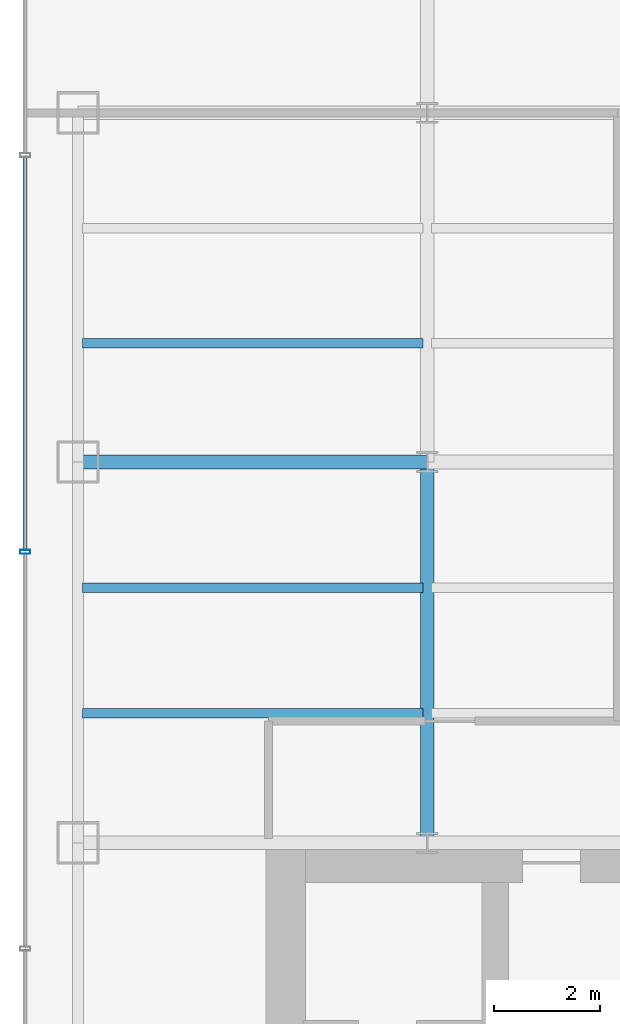
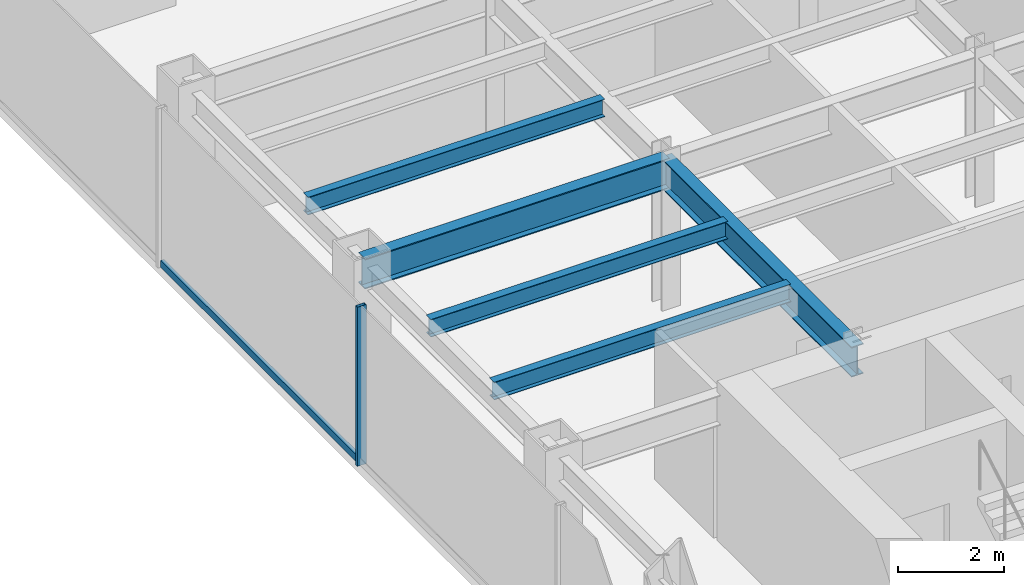
# One storey, part 4 of 26: 5 beams, 2 members, 1 element without a shape of its own.
"""IFC4 building model written with IfcOpenShell, lengths in metres."""

from ifc_helpers import new_model, si_unit, derived_unit, direction, frame, origin, origin_2d, place, context, subcontext, project, spatial, hollow_rectangle, i_section, extrude, source, transform, mapped, material, material_profile, profile_set, type_object, element, aggregate, save


model = new_model("IFC4")

# Units and contexts
model_context = context("Model", 3, precision=1e-05, world=origin(), true_north=direction((0.0, 1.0)))
body_context = subcontext(model_context, "Body", "Model", "MODEL_VIEW")
ifc_project = project(units=[si_unit("LENGTHUNIT", "METRE"), si_unit("AREAUNIT", "SQUARE_METRE"), si_unit("VOLUMEUNIT", "CUBIC_METRE"), si_unit("PLANEANGLEUNIT", "RADIAN"), si_unit("MASSUNIT", "GRAM", prefix="KILO"), derived_unit("THERMALTRANSMITTANCEUNIT", [(si_unit("POWERUNIT", "WATT"), 1), (si_unit("LENGTHUNIT", "METRE"), -2), (si_unit("THERMODYNAMICTEMPERATUREUNIT", "KELVIN"), -1)])], contexts=[model_context])

# Site, building, storey
site_placement = place(None, origin())
site = spatial("IfcSite", under=ifc_project, at=site_placement, CompositionType="ELEMENT")
building_placement = place(site_placement, origin())
building = spatial("IfcBuilding", under=site, at=building_placement, Name="Skarnbrae Concourse Arena and Tower", CompositionType="ELEMENT")
storey_placement = place(building_placement, frame((0.0, 0.0, 92.300048828125)))
storey = spatial("IfcBuildingStorey", under=building, at=storey_placement, Name="L22", CompositionType="ELEMENT", Elevation=92.300048828125)

# Beams
ifc_material_1 = material(Name="Steel CSA G40.21 350W", Category="steel")
ifc_material_profile_1 = material_profile(ifc_material_1, i_section(OverallWidth=0.256103515625, OverallDepth=0.693115234375, WebThickness=0.014404296875, FlangeThickness=0.023681640625, at=origin_2d()), Name="W690X170")
ifc_profile_set_1 = profile_set([ifc_material_profile_1], Name="Steel CSA G40.21 350W")
beam_type_1 = type_object("IfcBeamType", Name="BM-GIRD-W690X170", PredefinedType="BEAM", material=ifc_profile_set_1)
shared_shape_1 = source(origin(), body_context, "Body", "SweptSolid", [
    extrude(i_section(OverallWidth=0.256103515625, OverallDepth=0.693115234375, WebThickness=0.014404296875, FlangeThickness=0.023681640625, at=origin_2d()), origin(), (0.0, 0.0, 1.0), 6.60009765625),
])
beam_1_placement = place(storey_placement, frame((1.0, 21.199951171875, 3.053466796875), z_axis=(1.0, 0.0, 0.0), x_axis=(0.0, 1.0, 0.0)))
element("IfcBeam", 1, at=beam_1_placement, inside=storey, type_object=beam_type_1, Name="L22 Primary E-W girder Y21.2-1", PredefinedType="BEAM", context=body_context, shape_type="MappedRepresentation", body=[
    mapped(shared_shape_1, transform((0.0, 0.0, 0.0))),
])
shared_shape_2 = source(origin(), body_context, "Body", "SweptSolid", [
    extrude(i_section(OverallWidth=0.256103515625, OverallDepth=0.693115234375, WebThickness=0.014404296875, FlangeThickness=0.023681640625, at=origin_2d()), origin(), (0.0, 0.0, 1.0), 7.199951171875),
])
beam_2_placement = place(storey_placement, frame((7.60009765625, 14.0, 3.053466796875), z_axis=(0.0, 1.0, 0.0), x_axis=(-1.0, 0.0, 0.0)))
element("IfcBeam", 2, at=beam_2_placement, inside=storey, type_object=beam_type_1, Name="L22 Primary N-S girder X7.6-1", PredefinedType="BEAM", context=body_context, shape_type="MappedRepresentation", body=[
    mapped(shared_shape_2, transform((0.0, 0.0, 0.0))),
])
ifc_material_profile_2 = material_profile(ifc_material_1, i_section(OverallWidth=0.177978515625, OverallDepth=0.406982421875, WebThickness=0.0078125, FlangeThickness=0.0126953125, at=origin_2d()), Name="W410X60")
ifc_profile_set_2 = profile_set([ifc_material_profile_2], Name="Steel CSA G40.21 350W")
beam_type_2 = type_object("IfcBeamType", Name="BM-JOIST-W410X60", PredefinedType="JOIST", material=ifc_profile_set_2)
shared_shape_3 = source(origin(), body_context, "Body", "SweptSolid", [
    extrude(i_section(OverallWidth=0.177978515625, OverallDepth=0.406982421875, WebThickness=0.0078125, FlangeThickness=0.0126953125, at=origin_2d()), origin(), (0.0, 0.0, 1.0), 6.43994140625),
])
for number, where, z_axis, x_axis, name in (
    (3, (1.080078125, 16.447998046875, 3.196533203125), (1.0, 0.0, 0.0), (0.0, 1.0, 0.0), "L22 Secondary floor joist 1.1.1"),
    (4, (1.080078125, 18.823974609375, 3.196533203125), (1.0, 0.0, 0.0), (0.0, 1.0, 0.0), "L22 Secondary floor joist 1.2.1"),
    (5, (1.080078125, 23.444091796875, 3.196533203125), (1.0, 0.0, 0.0), (0.0, 1.0, 0.0), "L22 Secondary floor joist 2.1.1"),
):
    element("IfcBeam", number, at=place(storey_placement, frame(where, z_axis=z_axis, x_axis=x_axis)), inside=storey, type_object=beam_type_2, Name=name, PredefinedType="JOIST", context=body_context, shape_type="MappedRepresentation", body=[
        mapped(shared_shape_3, transform((0.0, 0.0, 0.0))),
    ])

# Curtain wall, members
ifc_material_2 = material(Name="Bronze anodised aluminium 6063-T6", Category="aluminium")
curtain_wall_type = type_object("IfcCurtainWallType", Name="CW-SYS-04-MIDZONE", PredefinedType="USERDEFINED", material=ifc_material_2)
curtain_wall_placement = place(storey_placement, origin())
curtain_wall = element("IfcCurtainWall", 6, at=curtain_wall_placement, inside=storey, type_object=curtain_wall_type, Name="L22 Unitised curtain wall CW-L22-E19", ObjectType="UNITISED CURTAIN WALL", PredefinedType="USERDEFINED")
ifc_material_profile_3 = material_profile(ifc_material_2, hollow_rectangle(XDim=0.074951171875, YDim=0.159912109375, WallThickness=0.00439453125, at=origin_2d()), Name="ALU-TRAN-75X160")
ifc_profile_set_3 = profile_set([ifc_material_profile_3], Name="Bronze anodised aluminium 6063-T6")
member_type_1 = type_object("IfcMemberType", Name="CWT-CW-04", PredefinedType="USERDEFINED", material=ifc_profile_set_3)
shared_shape_4 = source(origin(), body_context, "Body", "SweptSolid", [
    extrude(hollow_rectangle(XDim=0.074951171875, YDim=0.159912109375, WallThickness=0.00439453125, at=origin_2d()), origin(), (0.0, 0.0, 1.0), 7.4248046875),
])
member_1_placement = place(storey_placement, frame((0.0, 26.96240234375, 0.079833984375), z_axis=(0.0, -1.0, 0.0), x_axis=(1.0, 0.0, 0.0)))
member_1 = element("IfcMember", 7, at=member_1_placement, type_object=member_type_1, Name="CW-L22-E19 Transom 2", ObjectType="TRANSOM", PredefinedType="USERDEFINED", context=body_context, shape_type="MappedRepresentation", body=[
    mapped(shared_shape_4, transform((0.0, 0.0, 0.0))),
])
ifc_material_profile_4 = material_profile(ifc_material_2, hollow_rectangle(XDim=0.074951171875, YDim=0.195068359375, WallThickness=0.00439453125, at=origin_2d()), Name="ALU-MULL-75X195")
ifc_profile_set_4 = profile_set([ifc_material_profile_4], Name="Bronze anodised aluminium 6063-T6")
member_type_2 = type_object("IfcMemberType", Name="CWM-CW-04", PredefinedType="MULLION", material=ifc_profile_set_4)
shared_shape_5 = source(origin(), body_context, "Body", "SweptSolid", [
    extrude(hollow_rectangle(XDim=0.074951171875, YDim=0.195068359375, WallThickness=0.00439453125, at=origin_2d()), origin(), (0.0, 0.0, 1.0), 3.64990234375),
])
member_2_placement = place(storey_placement, frame((0.0, 19.5, 0.0), z_axis=(0.0, 0.0, 1.0), x_axis=(0.0, -1.0, 0.0)))
member_2 = element("IfcMember", 8, at=member_2_placement, type_object=member_type_2, Name="CW-L22-E19 Mullion 3", PredefinedType="MULLION", context=body_context, shape_type="MappedRepresentation", body=[
    mapped(shared_shape_5, transform((0.0, 0.0, 0.0))),
])
aggregate(curtain_wall, [member_2, member_1])

save(model, "model.ifc")
